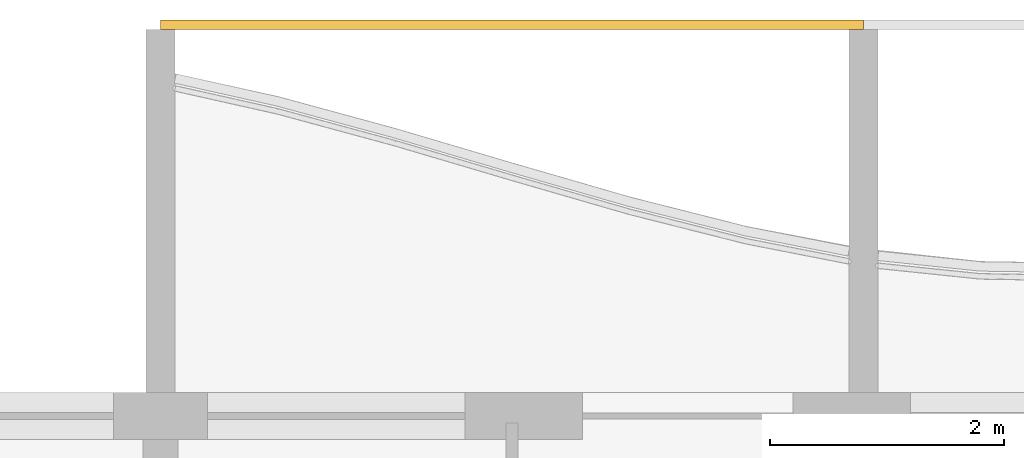
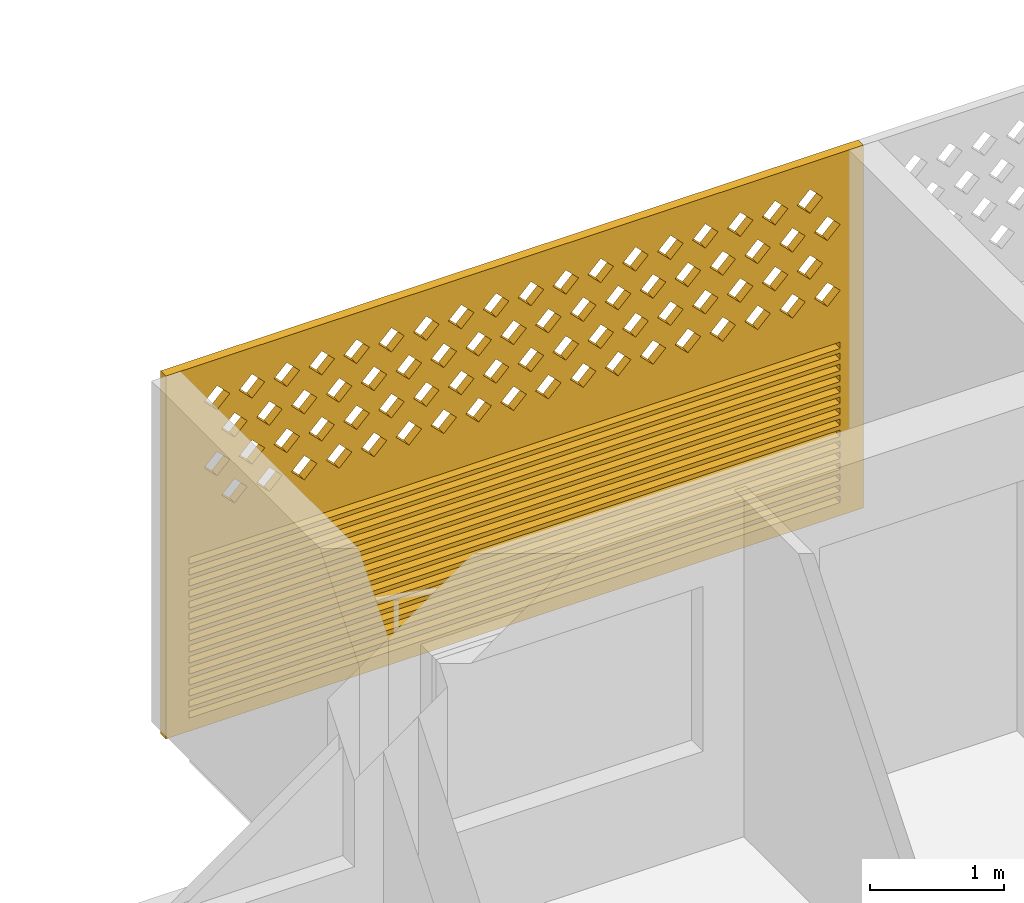
# One storey, part 29 of 33: 1 covering.
"""IFC4 building model written with IfcOpenShell, lengths in metres."""

from ifc_helpers import new_model, si_unit, direction, frame, origin, place, context, subcontext, project, spatial, polyline, outline, extrude, source, transform, mapped, material, material_profile, profile_set, type_object, element, save


model = new_model("IFC4")

# Units and contexts
model_context = context("Model", 3, precision=1e-05, world=origin(), true_north=direction((0.0, 1.0)))
body_context = subcontext(model_context, "Body", "Model", "MODEL_VIEW")
ifc_project = project(units=[si_unit("LENGTHUNIT", "METRE"), si_unit("AREAUNIT", "SQUARE_METRE"), si_unit("VOLUMEUNIT", "CUBIC_METRE"), si_unit("PLANEANGLEUNIT", "RADIAN"), si_unit("MASSUNIT", "GRAM", prefix="KILO")], contexts=[model_context])

# Site, building, storey
site_placement = place(None, origin())
site = spatial("IfcSite", under=ifc_project, at=site_placement, CompositionType="ELEMENT")
building_placement = place(site_placement, origin())
building = spatial("IfcBuilding", under=site, at=building_placement, Name="Poui Terraces", CompositionType="ELEMENT")
storey_placement = place(building_placement, frame((0.0, 0.0, 138.89990234375)))
storey = spatial("IfcBuildingStorey", under=building, at=storey_placement, Name="L38", CompositionType="ELEMENT", Elevation=138.89990234375)

# Covering
ifc_material = material(Name="Terracotta screen", Category="masonry")
ifc_material_profile = material_profile(ifc_material, outline(polyline([(-3.0, -1.64990234375), (3.0, -1.64990234375), (3.0, 1.64990234375), (-3.0, 1.64990234375), (-3.0, -1.64990234375)]), holes=[polyline([(-2.800048828125, 0.39990234375), (-2.68994140625, 0.2900390625), (-2.580078125, 0.39990234375), (-2.68994140625, 0.510009765625), (-2.800048828125, 0.39990234375)]), polyline([(-2.5, 0.39990234375), (-2.389892578125, 0.2900390625), (-2.280029296875, 0.39990234375), (-2.389892578125, 0.510009765625), (-2.5, 0.39990234375)]), polyline([(-2.199951171875, 0.39990234375), (-2.090087890625, 0.2900390625), (-1.97998046875, 0.39990234375), (-2.090087890625, 0.510009765625), (-2.199951171875, 0.39990234375)]), polyline([(-1.89990234375, 0.39990234375), (-1.7900390625, 0.2900390625), (-1.679931640625, 0.39990234375), (-1.7900390625, 0.510009765625), (-1.89990234375, 0.39990234375)]), polyline([(-1.60009765625, 0.39990234375), (-1.489990234375, 0.2900390625), (-1.3798828125, 0.39990234375), (-1.489990234375, 0.510009765625), (-1.60009765625, 0.39990234375)]), polyline([(-1.300048828125, 0.39990234375), (-1.18994140625, 0.2900390625), (-1.080078125, 0.39990234375), (-1.18994140625, 0.510009765625), (-1.300048828125, 0.39990234375)]), polyline([(-1.0, 0.39990234375), (-0.889892578125, 0.2900390625), (-0.780029296875, 0.39990234375), (-0.889892578125, 0.510009765625), (-1.0, 0.39990234375)]), polyline([(-0.699951171875, 0.39990234375), (-0.590087890625, 0.2900390625), (-0.47998046875, 0.39990234375), (-0.590087890625, 0.510009765625), (-0.699951171875, 0.39990234375)]), polyline([(-0.39990234375, 0.39990234375), (-0.2900390625, 0.2900390625), (-0.179931640625, 0.39990234375), (-0.2900390625, 0.510009765625), (-0.39990234375, 0.39990234375)]), polyline([(-0.10009765625, 0.39990234375), (0.010009765625, 0.2900390625), (0.1201171875, 0.39990234375), (0.010009765625, 0.510009765625), (-0.10009765625, 0.39990234375)]), polyline([(0.199951171875, 0.39990234375), (0.31005859375, 0.2900390625), (0.419921875, 0.39990234375), (0.31005859375, 0.510009765625), (0.199951171875, 0.39990234375)]), polyline([(0.5, 0.39990234375), (0.610107421875, 0.2900390625), (0.719970703125, 0.39990234375), (0.610107421875, 0.510009765625), (0.5, 0.39990234375)]), polyline([(0.800048828125, 0.39990234375), (0.909912109375, 0.2900390625), (1.02001953125, 0.39990234375), (0.909912109375, 0.510009765625), (0.800048828125, 0.39990234375)]), polyline([(1.10009765625, 0.39990234375), (1.2099609375, 0.2900390625), (1.320068359375, 0.39990234375), (1.2099609375, 0.510009765625), (1.10009765625, 0.39990234375)]), polyline([(1.39990234375, 0.39990234375), (1.510009765625, 0.2900390625), (1.6201171875, 0.39990234375), (1.510009765625, 0.510009765625), (1.39990234375, 0.39990234375)]), polyline([(1.699951171875, 0.39990234375), (1.81005859375, 0.2900390625), (1.919921875, 0.39990234375), (1.81005859375, 0.510009765625), (1.699951171875, 0.39990234375)]), polyline([(2.0, 0.39990234375), (2.110107421875, 0.2900390625), (2.219970703125, 0.39990234375), (2.110107421875, 0.510009765625), (2.0, 0.39990234375)]), polyline([(2.300048828125, 0.39990234375), (2.409912109375, 0.2900390625), (2.52001953125, 0.39990234375), (2.409912109375, 0.510009765625), (2.300048828125, 0.39990234375)]), polyline([(-2.64990234375, 0.699951171875), (-2.5400390625, 0.590087890625), (-2.429931640625, 0.699951171875), (-2.5400390625, 0.81005859375), (-2.64990234375, 0.699951171875)]), polyline([(-2.35009765625, 0.699951171875), (-2.239990234375, 0.590087890625), (-2.1298828125, 0.699951171875), (-2.239990234375, 0.81005859375), (-2.35009765625, 0.699951171875)]), polyline([(-2.050048828125, 0.699951171875), (-1.93994140625, 0.590087890625), (-1.830078125, 0.699951171875), (-1.93994140625, 0.81005859375), (-2.050048828125, 0.699951171875)]), polyline([(-1.75, 0.699951171875), (-1.639892578125, 0.590087890625), (-1.530029296875, 0.699951171875), (-1.639892578125, 0.81005859375), (-1.75, 0.699951171875)]), polyline([(-1.449951171875, 0.699951171875), (-1.340087890625, 0.590087890625), (-1.22998046875, 0.699951171875), (-1.340087890625, 0.81005859375), (-1.449951171875, 0.699951171875)]), polyline([(-1.14990234375, 0.699951171875), (-1.0400390625, 0.590087890625), (-0.929931640625, 0.699951171875), (-1.0400390625, 0.81005859375), (-1.14990234375, 0.699951171875)]), polyline([(-0.85009765625, 0.699951171875), (-0.739990234375, 0.590087890625), (-0.6298828125, 0.699951171875), (-0.739990234375, 0.81005859375), (-0.85009765625, 0.699951171875)]), polyline([(-0.550048828125, 0.699951171875), (-0.43994140625, 0.590087890625), (-0.330078125, 0.699951171875), (-0.43994140625, 0.81005859375), (-0.550048828125, 0.699951171875)]), polyline([(-0.25, 0.699951171875), (-0.139892578125, 0.590087890625), (-0.030029296875, 0.699951171875), (-0.139892578125, 0.81005859375), (-0.25, 0.699951171875)]), polyline([(0.050048828125, 0.699951171875), (0.159912109375, 0.590087890625), (0.27001953125, 0.699951171875), (0.159912109375, 0.81005859375), (0.050048828125, 0.699951171875)]), polyline([(0.35009765625, 0.699951171875), (0.4599609375, 0.590087890625), (0.570068359375, 0.699951171875), (0.4599609375, 0.81005859375), (0.35009765625, 0.699951171875)]), polyline([(0.64990234375, 0.699951171875), (0.760009765625, 0.590087890625), (0.8701171875, 0.699951171875), (0.760009765625, 0.81005859375), (0.64990234375, 0.699951171875)]), polyline([(0.949951171875, 0.699951171875), (1.06005859375, 0.590087890625), (1.169921875, 0.699951171875), (1.06005859375, 0.81005859375), (0.949951171875, 0.699951171875)]), polyline([(1.25, 0.699951171875), (1.360107421875, 0.590087890625), (1.469970703125, 0.699951171875), (1.360107421875, 0.81005859375), (1.25, 0.699951171875)]), polyline([(1.550048828125, 0.699951171875), (1.659912109375, 0.590087890625), (1.77001953125, 0.699951171875), (1.659912109375, 0.81005859375), (1.550048828125, 0.699951171875)]), polyline([(1.85009765625, 0.699951171875), (1.9599609375, 0.590087890625), (2.070068359375, 0.699951171875), (1.9599609375, 0.81005859375), (1.85009765625, 0.699951171875)]), polyline([(2.14990234375, 0.699951171875), (2.260009765625, 0.590087890625), (2.3701171875, 0.699951171875), (2.260009765625, 0.81005859375), (2.14990234375, 0.699951171875)]), polyline([(2.449951171875, 0.699951171875), (2.56005859375, 0.590087890625), (2.669921875, 0.699951171875), (2.56005859375, 0.81005859375), (2.449951171875, 0.699951171875)]), polyline([(-2.800048828125, 1.0), (-2.68994140625, 0.889892578125), (-2.580078125, 1.0), (-2.68994140625, 1.110107421875), (-2.800048828125, 1.0)]), polyline([(-2.5, 1.0), (-2.389892578125, 0.889892578125), (-2.280029296875, 1.0), (-2.389892578125, 1.110107421875), (-2.5, 1.0)]), polyline([(-2.199951171875, 1.0), (-2.090087890625, 0.889892578125), (-1.97998046875, 1.0), (-2.090087890625, 1.110107421875), (-2.199951171875, 1.0)]), polyline([(-1.89990234375, 1.0), (-1.7900390625, 0.889892578125), (-1.679931640625, 1.0), (-1.7900390625, 1.110107421875), (-1.89990234375, 1.0)]), polyline([(-1.60009765625, 1.0), (-1.489990234375, 0.889892578125), (-1.3798828125, 1.0), (-1.489990234375, 1.110107421875), (-1.60009765625, 1.0)]), polyline([(-1.300048828125, 1.0), (-1.18994140625, 0.889892578125), (-1.080078125, 1.0), (-1.18994140625, 1.110107421875), (-1.300048828125, 1.0)]), polyline([(-1.0, 1.0), (-0.889892578125, 0.889892578125), (-0.780029296875, 1.0), (-0.889892578125, 1.110107421875), (-1.0, 1.0)]), polyline([(-0.699951171875, 1.0), (-0.590087890625, 0.889892578125), (-0.47998046875, 1.0), (-0.590087890625, 1.110107421875), (-0.699951171875, 1.0)]), polyline([(-0.39990234375, 1.0), (-0.2900390625, 0.889892578125), (-0.179931640625, 1.0), (-0.2900390625, 1.110107421875), (-0.39990234375, 1.0)]), polyline([(-0.10009765625, 1.0), (0.010009765625, 0.889892578125), (0.1201171875, 1.0), (0.010009765625, 1.110107421875), (-0.10009765625, 1.0)]), polyline([(0.199951171875, 1.0), (0.31005859375, 0.889892578125), (0.419921875, 1.0), (0.31005859375, 1.110107421875), (0.199951171875, 1.0)]), polyline([(0.5, 1.0), (0.610107421875, 0.889892578125), (0.719970703125, 1.0), (0.610107421875, 1.110107421875), (0.5, 1.0)]), polyline([(0.800048828125, 1.0), (0.909912109375, 0.889892578125), (1.02001953125, 1.0), (0.909912109375, 1.110107421875), (0.800048828125, 1.0)]), polyline([(1.10009765625, 1.0), (1.2099609375, 0.889892578125), (1.320068359375, 1.0), (1.2099609375, 1.110107421875), (1.10009765625, 1.0)]), polyline([(1.39990234375, 1.0), (1.510009765625, 0.889892578125), (1.6201171875, 1.0), (1.510009765625, 1.110107421875), (1.39990234375, 1.0)]), polyline([(1.699951171875, 1.0), (1.81005859375, 0.889892578125), (1.919921875, 1.0), (1.81005859375, 1.110107421875), (1.699951171875, 1.0)]), polyline([(2.0, 1.0), (2.110107421875, 0.889892578125), (2.219970703125, 1.0), (2.110107421875, 1.110107421875), (2.0, 1.0)]), polyline([(2.300048828125, 1.0), (2.409912109375, 0.889892578125), (2.52001953125, 1.0), (2.409912109375, 1.110107421875), (2.300048828125, 1.0)]), polyline([(-2.64990234375, 1.300048828125), (-2.5400390625, 1.18994140625), (-2.429931640625, 1.300048828125), (-2.5400390625, 1.409912109375), (-2.64990234375, 1.300048828125)]), polyline([(-2.35009765625, 1.300048828125), (-2.239990234375, 1.18994140625), (-2.1298828125, 1.300048828125), (-2.239990234375, 1.409912109375), (-2.35009765625, 1.300048828125)]), polyline([(-2.050048828125, 1.300048828125), (-1.93994140625, 1.18994140625), (-1.830078125, 1.300048828125), (-1.93994140625, 1.409912109375), (-2.050048828125, 1.300048828125)]), polyline([(-1.75, 1.300048828125), (-1.639892578125, 1.18994140625), (-1.530029296875, 1.300048828125), (-1.639892578125, 1.409912109375), (-1.75, 1.300048828125)]), polyline([(-1.449951171875, 1.300048828125), (-1.340087890625, 1.18994140625), (-1.22998046875, 1.300048828125), (-1.340087890625, 1.409912109375), (-1.449951171875, 1.300048828125)]), polyline([(-1.14990234375, 1.300048828125), (-1.0400390625, 1.18994140625), (-0.929931640625, 1.300048828125), (-1.0400390625, 1.409912109375), (-1.14990234375, 1.300048828125)]), polyline([(-0.85009765625, 1.300048828125), (-0.739990234375, 1.18994140625), (-0.6298828125, 1.300048828125), (-0.739990234375, 1.409912109375), (-0.85009765625, 1.300048828125)]), polyline([(-0.550048828125, 1.300048828125), (-0.43994140625, 1.18994140625), (-0.330078125, 1.300048828125), (-0.43994140625, 1.409912109375), (-0.550048828125, 1.300048828125)]), polyline([(-0.25, 1.300048828125), (-0.139892578125, 1.18994140625), (-0.030029296875, 1.300048828125), (-0.139892578125, 1.409912109375), (-0.25, 1.300048828125)]), polyline([(0.050048828125, 1.300048828125), (0.159912109375, 1.18994140625), (0.27001953125, 1.300048828125), (0.159912109375, 1.409912109375), (0.050048828125, 1.300048828125)]), polyline([(0.35009765625, 1.300048828125), (0.4599609375, 1.18994140625), (0.570068359375, 1.300048828125), (0.4599609375, 1.409912109375), (0.35009765625, 1.300048828125)]), polyline([(0.64990234375, 1.300048828125), (0.760009765625, 1.18994140625), (0.8701171875, 1.300048828125), (0.760009765625, 1.409912109375), (0.64990234375, 1.300048828125)]), polyline([(0.949951171875, 1.300048828125), (1.06005859375, 1.18994140625), (1.169921875, 1.300048828125), (1.06005859375, 1.409912109375), (0.949951171875, 1.300048828125)]), polyline([(1.25, 1.300048828125), (1.360107421875, 1.18994140625), (1.469970703125, 1.300048828125), (1.360107421875, 1.409912109375), (1.25, 1.300048828125)]), polyline([(1.550048828125, 1.300048828125), (1.659912109375, 1.18994140625), (1.77001953125, 1.300048828125), (1.659912109375, 1.409912109375), (1.550048828125, 1.300048828125)]), polyline([(1.85009765625, 1.300048828125), (1.9599609375, 1.18994140625), (2.070068359375, 1.300048828125), (1.9599609375, 1.409912109375), (1.85009765625, 1.300048828125)]), polyline([(2.14990234375, 1.300048828125), (2.260009765625, 1.18994140625), (2.3701171875, 1.300048828125), (2.260009765625, 1.409912109375), (2.14990234375, 1.300048828125)]), polyline([(2.449951171875, 1.300048828125), (2.56005859375, 1.18994140625), (2.669921875, 1.300048828125), (2.56005859375, 1.409912109375), (2.449951171875, 1.300048828125)]), polyline([(-2.800048828125, -1.530029296875), (2.800048828125, -1.530029296875), (2.800048828125, -1.469970703125), (-2.800048828125, -1.469970703125), (-2.800048828125, -1.530029296875)]), polyline([(-2.800048828125, -1.429931640625), (2.800048828125, -1.429931640625), (2.800048828125, -1.3701171875), (-2.800048828125, -1.3701171875), (-2.800048828125, -1.429931640625)]), polyline([(-2.800048828125, -1.330078125), (2.800048828125, -1.330078125), (2.800048828125, -1.27001953125), (-2.800048828125, -1.27001953125), (-2.800048828125, -1.330078125)]), polyline([(-2.800048828125, -1.22998046875), (2.800048828125, -1.22998046875), (2.800048828125, -1.169921875), (-2.800048828125, -1.169921875), (-2.800048828125, -1.22998046875)]), polyline([(-2.800048828125, -1.1298828125), (2.800048828125, -1.1298828125), (2.800048828125, -1.070068359375), (-2.800048828125, -1.070068359375), (-2.800048828125, -1.1298828125)]), polyline([(-2.800048828125, -1.030029296875), (2.800048828125, -1.030029296875), (2.800048828125, -0.969970703125), (-2.800048828125, -0.969970703125), (-2.800048828125, -1.030029296875)]), polyline([(-2.800048828125, -0.929931640625), (2.800048828125, -0.929931640625), (2.800048828125, -0.8701171875), (-2.800048828125, -0.8701171875), (-2.800048828125, -0.929931640625)]), polyline([(-2.800048828125, -0.830078125), (2.800048828125, -0.830078125), (2.800048828125, -0.77001953125), (-2.800048828125, -0.77001953125), (-2.800048828125, -0.830078125)]), polyline([(-2.800048828125, -0.72998046875), (2.800048828125, -0.72998046875), (2.800048828125, -0.669921875), (-2.800048828125, -0.669921875), (-2.800048828125, -0.72998046875)]), polyline([(-2.800048828125, -0.6298828125), (2.800048828125, -0.6298828125), (2.800048828125, -0.570068359375), (-2.800048828125, -0.570068359375), (-2.800048828125, -0.6298828125)]), polyline([(-2.800048828125, -0.530029296875), (2.800048828125, -0.530029296875), (2.800048828125, -0.469970703125), (-2.800048828125, -0.469970703125), (-2.800048828125, -0.530029296875)]), polyline([(-2.800048828125, -0.429931640625), (2.800048828125, -0.429931640625), (2.800048828125, -0.3701171875), (-2.800048828125, -0.3701171875), (-2.800048828125, -0.429931640625)]), polyline([(-2.800048828125, -0.330078125), (2.800048828125, -0.330078125), (2.800048828125, -0.27001953125), (-2.800048828125, -0.27001953125), (-2.800048828125, -0.330078125)]), polyline([(-2.800048828125, -0.22998046875), (2.800048828125, -0.22998046875), (2.800048828125, -0.169921875), (-2.800048828125, -0.169921875), (-2.800048828125, -0.22998046875)]), polyline([(-2.800048828125, -0.1298828125), (2.800048828125, -0.1298828125), (2.800048828125, -0.070068359375), (-2.800048828125, -0.070068359375), (-2.800048828125, -0.1298828125)])]), Name="TERRACOTTA SCREEN AND JALOUSIE LOUVRE 6000X3300")
ifc_profile_set = profile_set([ifc_material_profile], Name="Terracotta screen")
covering_type = type_object("IfcCoveringType", Name="TERRACOTTA SCREEN AND JALOUSIE LOUVRE 6000X3300", PredefinedType="CLADDING", material=ifc_profile_set)
shared_shape = source(origin(), body_context, "Body", "SweptSolid", [
    extrude(outline(polyline([(-3.0, -1.64990234375), (3.0, -1.64990234375), (3.0, 1.64990234375), (-3.0, 1.64990234375), (-3.0, -1.64990234375)]), holes=[polyline([(-2.800048828125, 0.39990234375), (-2.68994140625, 0.2900390625), (-2.580078125, 0.39990234375), (-2.68994140625, 0.510009765625), (-2.800048828125, 0.39990234375)]), polyline([(-2.5, 0.39990234375), (-2.389892578125, 0.2900390625), (-2.280029296875, 0.39990234375), (-2.389892578125, 0.510009765625), (-2.5, 0.39990234375)]), polyline([(-2.199951171875, 0.39990234375), (-2.090087890625, 0.2900390625), (-1.97998046875, 0.39990234375), (-2.090087890625, 0.510009765625), (-2.199951171875, 0.39990234375)]), polyline([(-1.89990234375, 0.39990234375), (-1.7900390625, 0.2900390625), (-1.679931640625, 0.39990234375), (-1.7900390625, 0.510009765625), (-1.89990234375, 0.39990234375)]), polyline([(-1.60009765625, 0.39990234375), (-1.489990234375, 0.2900390625), (-1.3798828125, 0.39990234375), (-1.489990234375, 0.510009765625), (-1.60009765625, 0.39990234375)]), polyline([(-1.300048828125, 0.39990234375), (-1.18994140625, 0.2900390625), (-1.080078125, 0.39990234375), (-1.18994140625, 0.510009765625), (-1.300048828125, 0.39990234375)]), polyline([(-1.0, 0.39990234375), (-0.889892578125, 0.2900390625), (-0.780029296875, 0.39990234375), (-0.889892578125, 0.510009765625), (-1.0, 0.39990234375)]), polyline([(-0.699951171875, 0.39990234375), (-0.590087890625, 0.2900390625), (-0.47998046875, 0.39990234375), (-0.590087890625, 0.510009765625), (-0.699951171875, 0.39990234375)]), polyline([(-0.39990234375, 0.39990234375), (-0.2900390625, 0.2900390625), (-0.179931640625, 0.39990234375), (-0.2900390625, 0.510009765625), (-0.39990234375, 0.39990234375)]), polyline([(-0.10009765625, 0.39990234375), (0.010009765625, 0.2900390625), (0.1201171875, 0.39990234375), (0.010009765625, 0.510009765625), (-0.10009765625, 0.39990234375)]), polyline([(0.199951171875, 0.39990234375), (0.31005859375, 0.2900390625), (0.419921875, 0.39990234375), (0.31005859375, 0.510009765625), (0.199951171875, 0.39990234375)]), polyline([(0.5, 0.39990234375), (0.610107421875, 0.2900390625), (0.719970703125, 0.39990234375), (0.610107421875, 0.510009765625), (0.5, 0.39990234375)]), polyline([(0.800048828125, 0.39990234375), (0.909912109375, 0.2900390625), (1.02001953125, 0.39990234375), (0.909912109375, 0.510009765625), (0.800048828125, 0.39990234375)]), polyline([(1.10009765625, 0.39990234375), (1.2099609375, 0.2900390625), (1.320068359375, 0.39990234375), (1.2099609375, 0.510009765625), (1.10009765625, 0.39990234375)]), polyline([(1.39990234375, 0.39990234375), (1.510009765625, 0.2900390625), (1.6201171875, 0.39990234375), (1.510009765625, 0.510009765625), (1.39990234375, 0.39990234375)]), polyline([(1.699951171875, 0.39990234375), (1.81005859375, 0.2900390625), (1.919921875, 0.39990234375), (1.81005859375, 0.510009765625), (1.699951171875, 0.39990234375)]), polyline([(2.0, 0.39990234375), (2.110107421875, 0.2900390625), (2.219970703125, 0.39990234375), (2.110107421875, 0.510009765625), (2.0, 0.39990234375)]), polyline([(2.300048828125, 0.39990234375), (2.409912109375, 0.2900390625), (2.52001953125, 0.39990234375), (2.409912109375, 0.510009765625), (2.300048828125, 0.39990234375)]), polyline([(-2.64990234375, 0.699951171875), (-2.5400390625, 0.590087890625), (-2.429931640625, 0.699951171875), (-2.5400390625, 0.81005859375), (-2.64990234375, 0.699951171875)]), polyline([(-2.35009765625, 0.699951171875), (-2.239990234375, 0.590087890625), (-2.1298828125, 0.699951171875), (-2.239990234375, 0.81005859375), (-2.35009765625, 0.699951171875)]), polyline([(-2.050048828125, 0.699951171875), (-1.93994140625, 0.590087890625), (-1.830078125, 0.699951171875), (-1.93994140625, 0.81005859375), (-2.050048828125, 0.699951171875)]), polyline([(-1.75, 0.699951171875), (-1.639892578125, 0.590087890625), (-1.530029296875, 0.699951171875), (-1.639892578125, 0.81005859375), (-1.75, 0.699951171875)]), polyline([(-1.449951171875, 0.699951171875), (-1.340087890625, 0.590087890625), (-1.22998046875, 0.699951171875), (-1.340087890625, 0.81005859375), (-1.449951171875, 0.699951171875)]), polyline([(-1.14990234375, 0.699951171875), (-1.0400390625, 0.590087890625), (-0.929931640625, 0.699951171875), (-1.0400390625, 0.81005859375), (-1.14990234375, 0.699951171875)]), polyline([(-0.85009765625, 0.699951171875), (-0.739990234375, 0.590087890625), (-0.6298828125, 0.699951171875), (-0.739990234375, 0.81005859375), (-0.85009765625, 0.699951171875)]), polyline([(-0.550048828125, 0.699951171875), (-0.43994140625, 0.590087890625), (-0.330078125, 0.699951171875), (-0.43994140625, 0.81005859375), (-0.550048828125, 0.699951171875)]), polyline([(-0.25, 0.699951171875), (-0.139892578125, 0.590087890625), (-0.030029296875, 0.699951171875), (-0.139892578125, 0.81005859375), (-0.25, 0.699951171875)]), polyline([(0.050048828125, 0.699951171875), (0.159912109375, 0.590087890625), (0.27001953125, 0.699951171875), (0.159912109375, 0.81005859375), (0.050048828125, 0.699951171875)]), polyline([(0.35009765625, 0.699951171875), (0.4599609375, 0.590087890625), (0.570068359375, 0.699951171875), (0.4599609375, 0.81005859375), (0.35009765625, 0.699951171875)]), polyline([(0.64990234375, 0.699951171875), (0.760009765625, 0.590087890625), (0.8701171875, 0.699951171875), (0.760009765625, 0.81005859375), (0.64990234375, 0.699951171875)]), polyline([(0.949951171875, 0.699951171875), (1.06005859375, 0.590087890625), (1.169921875, 0.699951171875), (1.06005859375, 0.81005859375), (0.949951171875, 0.699951171875)]), polyline([(1.25, 0.699951171875), (1.360107421875, 0.590087890625), (1.469970703125, 0.699951171875), (1.360107421875, 0.81005859375), (1.25, 0.699951171875)]), polyline([(1.550048828125, 0.699951171875), (1.659912109375, 0.590087890625), (1.77001953125, 0.699951171875), (1.659912109375, 0.81005859375), (1.550048828125, 0.699951171875)]), polyline([(1.85009765625, 0.699951171875), (1.9599609375, 0.590087890625), (2.070068359375, 0.699951171875), (1.9599609375, 0.81005859375), (1.85009765625, 0.699951171875)]), polyline([(2.14990234375, 0.699951171875), (2.260009765625, 0.590087890625), (2.3701171875, 0.699951171875), (2.260009765625, 0.81005859375), (2.14990234375, 0.699951171875)]), polyline([(2.449951171875, 0.699951171875), (2.56005859375, 0.590087890625), (2.669921875, 0.699951171875), (2.56005859375, 0.81005859375), (2.449951171875, 0.699951171875)]), polyline([(-2.800048828125, 1.0), (-2.68994140625, 0.889892578125), (-2.580078125, 1.0), (-2.68994140625, 1.110107421875), (-2.800048828125, 1.0)]), polyline([(-2.5, 1.0), (-2.389892578125, 0.889892578125), (-2.280029296875, 1.0), (-2.389892578125, 1.110107421875), (-2.5, 1.0)]), polyline([(-2.199951171875, 1.0), (-2.090087890625, 0.889892578125), (-1.97998046875, 1.0), (-2.090087890625, 1.110107421875), (-2.199951171875, 1.0)]), polyline([(-1.89990234375, 1.0), (-1.7900390625, 0.889892578125), (-1.679931640625, 1.0), (-1.7900390625, 1.110107421875), (-1.89990234375, 1.0)]), polyline([(-1.60009765625, 1.0), (-1.489990234375, 0.889892578125), (-1.3798828125, 1.0), (-1.489990234375, 1.110107421875), (-1.60009765625, 1.0)]), polyline([(-1.300048828125, 1.0), (-1.18994140625, 0.889892578125), (-1.080078125, 1.0), (-1.18994140625, 1.110107421875), (-1.300048828125, 1.0)]), polyline([(-1.0, 1.0), (-0.889892578125, 0.889892578125), (-0.780029296875, 1.0), (-0.889892578125, 1.110107421875), (-1.0, 1.0)]), polyline([(-0.699951171875, 1.0), (-0.590087890625, 0.889892578125), (-0.47998046875, 1.0), (-0.590087890625, 1.110107421875), (-0.699951171875, 1.0)]), polyline([(-0.39990234375, 1.0), (-0.2900390625, 0.889892578125), (-0.179931640625, 1.0), (-0.2900390625, 1.110107421875), (-0.39990234375, 1.0)]), polyline([(-0.10009765625, 1.0), (0.010009765625, 0.889892578125), (0.1201171875, 1.0), (0.010009765625, 1.110107421875), (-0.10009765625, 1.0)]), polyline([(0.199951171875, 1.0), (0.31005859375, 0.889892578125), (0.419921875, 1.0), (0.31005859375, 1.110107421875), (0.199951171875, 1.0)]), polyline([(0.5, 1.0), (0.610107421875, 0.889892578125), (0.719970703125, 1.0), (0.610107421875, 1.110107421875), (0.5, 1.0)]), polyline([(0.800048828125, 1.0), (0.909912109375, 0.889892578125), (1.02001953125, 1.0), (0.909912109375, 1.110107421875), (0.800048828125, 1.0)]), polyline([(1.10009765625, 1.0), (1.2099609375, 0.889892578125), (1.320068359375, 1.0), (1.2099609375, 1.110107421875), (1.10009765625, 1.0)]), polyline([(1.39990234375, 1.0), (1.510009765625, 0.889892578125), (1.6201171875, 1.0), (1.510009765625, 1.110107421875), (1.39990234375, 1.0)]), polyline([(1.699951171875, 1.0), (1.81005859375, 0.889892578125), (1.919921875, 1.0), (1.81005859375, 1.110107421875), (1.699951171875, 1.0)]), polyline([(2.0, 1.0), (2.110107421875, 0.889892578125), (2.219970703125, 1.0), (2.110107421875, 1.110107421875), (2.0, 1.0)]), polyline([(2.300048828125, 1.0), (2.409912109375, 0.889892578125), (2.52001953125, 1.0), (2.409912109375, 1.110107421875), (2.300048828125, 1.0)]), polyline([(-2.64990234375, 1.300048828125), (-2.5400390625, 1.18994140625), (-2.429931640625, 1.300048828125), (-2.5400390625, 1.409912109375), (-2.64990234375, 1.300048828125)]), polyline([(-2.35009765625, 1.300048828125), (-2.239990234375, 1.18994140625), (-2.1298828125, 1.300048828125), (-2.239990234375, 1.409912109375), (-2.35009765625, 1.300048828125)]), polyline([(-2.050048828125, 1.300048828125), (-1.93994140625, 1.18994140625), (-1.830078125, 1.300048828125), (-1.93994140625, 1.409912109375), (-2.050048828125, 1.300048828125)]), polyline([(-1.75, 1.300048828125), (-1.639892578125, 1.18994140625), (-1.530029296875, 1.300048828125), (-1.639892578125, 1.409912109375), (-1.75, 1.300048828125)]), polyline([(-1.449951171875, 1.300048828125), (-1.340087890625, 1.18994140625), (-1.22998046875, 1.300048828125), (-1.340087890625, 1.409912109375), (-1.449951171875, 1.300048828125)]), polyline([(-1.14990234375, 1.300048828125), (-1.0400390625, 1.18994140625), (-0.929931640625, 1.300048828125), (-1.0400390625, 1.409912109375), (-1.14990234375, 1.300048828125)]), polyline([(-0.85009765625, 1.300048828125), (-0.739990234375, 1.18994140625), (-0.6298828125, 1.300048828125), (-0.739990234375, 1.409912109375), (-0.85009765625, 1.300048828125)]), polyline([(-0.550048828125, 1.300048828125), (-0.43994140625, 1.18994140625), (-0.330078125, 1.300048828125), (-0.43994140625, 1.409912109375), (-0.550048828125, 1.300048828125)]), polyline([(-0.25, 1.300048828125), (-0.139892578125, 1.18994140625), (-0.030029296875, 1.300048828125), (-0.139892578125, 1.409912109375), (-0.25, 1.300048828125)]), polyline([(0.050048828125, 1.300048828125), (0.159912109375, 1.18994140625), (0.27001953125, 1.300048828125), (0.159912109375, 1.409912109375), (0.050048828125, 1.300048828125)]), polyline([(0.35009765625, 1.300048828125), (0.4599609375, 1.18994140625), (0.570068359375, 1.300048828125), (0.4599609375, 1.409912109375), (0.35009765625, 1.300048828125)]), polyline([(0.64990234375, 1.300048828125), (0.760009765625, 1.18994140625), (0.8701171875, 1.300048828125), (0.760009765625, 1.409912109375), (0.64990234375, 1.300048828125)]), polyline([(0.949951171875, 1.300048828125), (1.06005859375, 1.18994140625), (1.169921875, 1.300048828125), (1.06005859375, 1.409912109375), (0.949951171875, 1.300048828125)]), polyline([(1.25, 1.300048828125), (1.360107421875, 1.18994140625), (1.469970703125, 1.300048828125), (1.360107421875, 1.409912109375), (1.25, 1.300048828125)]), polyline([(1.550048828125, 1.300048828125), (1.659912109375, 1.18994140625), (1.77001953125, 1.300048828125), (1.659912109375, 1.409912109375), (1.550048828125, 1.300048828125)]), polyline([(1.85009765625, 1.300048828125), (1.9599609375, 1.18994140625), (2.070068359375, 1.300048828125), (1.9599609375, 1.409912109375), (1.85009765625, 1.300048828125)]), polyline([(2.14990234375, 1.300048828125), (2.260009765625, 1.18994140625), (2.3701171875, 1.300048828125), (2.260009765625, 1.409912109375), (2.14990234375, 1.300048828125)]), polyline([(2.449951171875, 1.300048828125), (2.56005859375, 1.18994140625), (2.669921875, 1.300048828125), (2.56005859375, 1.409912109375), (2.449951171875, 1.300048828125)]), polyline([(-2.800048828125, -1.530029296875), (2.800048828125, -1.530029296875), (2.800048828125, -1.469970703125), (-2.800048828125, -1.469970703125), (-2.800048828125, -1.530029296875)]), polyline([(-2.800048828125, -1.429931640625), (2.800048828125, -1.429931640625), (2.800048828125, -1.3701171875), (-2.800048828125, -1.3701171875), (-2.800048828125, -1.429931640625)]), polyline([(-2.800048828125, -1.330078125), (2.800048828125, -1.330078125), (2.800048828125, -1.27001953125), (-2.800048828125, -1.27001953125), (-2.800048828125, -1.330078125)]), polyline([(-2.800048828125, -1.22998046875), (2.800048828125, -1.22998046875), (2.800048828125, -1.169921875), (-2.800048828125, -1.169921875), (-2.800048828125, -1.22998046875)]), polyline([(-2.800048828125, -1.1298828125), (2.800048828125, -1.1298828125), (2.800048828125, -1.070068359375), (-2.800048828125, -1.070068359375), (-2.800048828125, -1.1298828125)]), polyline([(-2.800048828125, -1.030029296875), (2.800048828125, -1.030029296875), (2.800048828125, -0.969970703125), (-2.800048828125, -0.969970703125), (-2.800048828125, -1.030029296875)]), polyline([(-2.800048828125, -0.929931640625), (2.800048828125, -0.929931640625), (2.800048828125, -0.8701171875), (-2.800048828125, -0.8701171875), (-2.800048828125, -0.929931640625)]), polyline([(-2.800048828125, -0.830078125), (2.800048828125, -0.830078125), (2.800048828125, -0.77001953125), (-2.800048828125, -0.77001953125), (-2.800048828125, -0.830078125)]), polyline([(-2.800048828125, -0.72998046875), (2.800048828125, -0.72998046875), (2.800048828125, -0.669921875), (-2.800048828125, -0.669921875), (-2.800048828125, -0.72998046875)]), polyline([(-2.800048828125, -0.6298828125), (2.800048828125, -0.6298828125), (2.800048828125, -0.570068359375), (-2.800048828125, -0.570068359375), (-2.800048828125, -0.6298828125)]), polyline([(-2.800048828125, -0.530029296875), (2.800048828125, -0.530029296875), (2.800048828125, -0.469970703125), (-2.800048828125, -0.469970703125), (-2.800048828125, -0.530029296875)]), polyline([(-2.800048828125, -0.429931640625), (2.800048828125, -0.429931640625), (2.800048828125, -0.3701171875), (-2.800048828125, -0.3701171875), (-2.800048828125, -0.429931640625)]), polyline([(-2.800048828125, -0.330078125), (2.800048828125, -0.330078125), (2.800048828125, -0.27001953125), (-2.800048828125, -0.27001953125), (-2.800048828125, -0.330078125)]), polyline([(-2.800048828125, -0.22998046875), (2.800048828125, -0.22998046875), (2.800048828125, -0.169921875), (-2.800048828125, -0.169921875), (-2.800048828125, -0.22998046875)]), polyline([(-2.800048828125, -0.1298828125), (2.800048828125, -0.1298828125), (2.800048828125, -0.070068359375), (-2.800048828125, -0.070068359375), (-2.800048828125, -0.1298828125)])]), origin(), (0.0, 0.0, 1.0), 0.080078125),
])
covering_placement = place(storey_placement, frame((69.0, 45.699951171875, 1.4501953125), z_axis=(0.0, 1.0, 0.0), x_axis=(-1.0, 0.0, 0.0)))
element("IfcCovering", 1, at=covering_placement, inside=storey, type_object=covering_type, Name="SOLAR SCREEN AND JALOUSIE LOUVRE", PredefinedType="CLADDING", context=body_context, shape_type="MappedRepresentation", body=[
    mapped(shared_shape, transform((0.0, 0.0, 0.0))),
])

save(model, "model.ifc")
